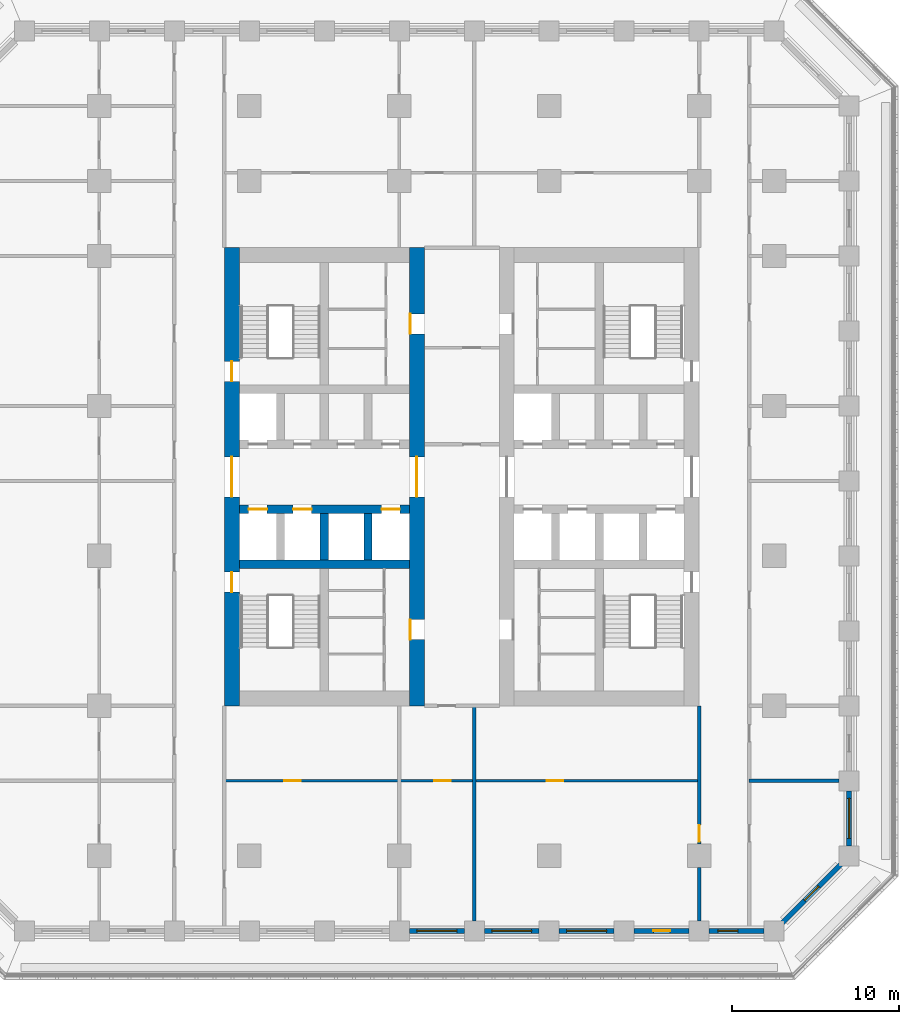
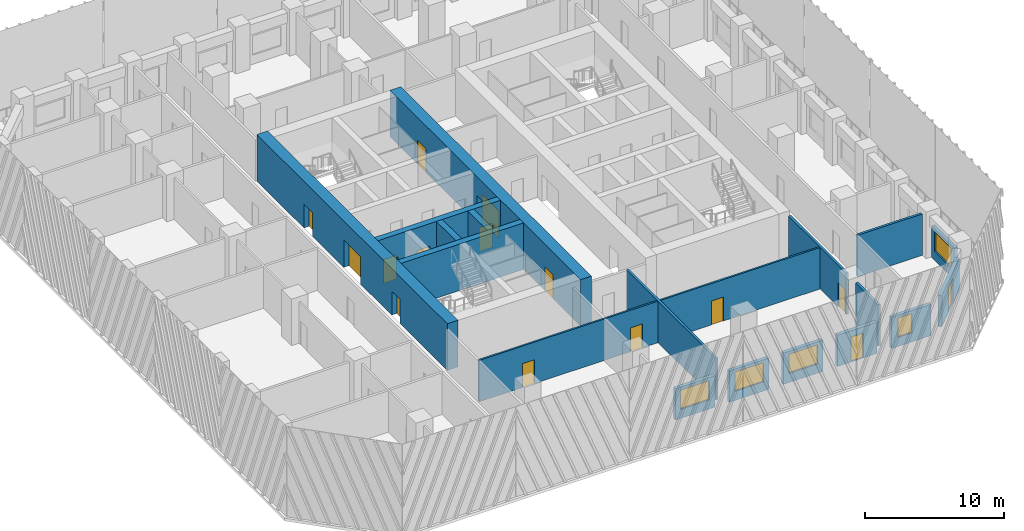
# One storey, part 4 of 19: 18 walls, 15 doors, 5 windows, 20 openings.
"""IFC4 building model written with IfcOpenShell, lengths in metres."""

from ifc_helpers import new_model, si_unit, direction, frame, frame_2d, origin, place, context, subcontext, project, spatial, rectangle, extrude, material, layer, layer_set, type_object, element, fill, save


model = new_model("IFC4")

# Units and contexts
model_context = context("Model", 3, precision=1e-05, world=origin(), true_north=direction((0.0, 1.0)))
body_context = subcontext(model_context, "Body", "Model", "MODEL_VIEW")
ifc_project = project(units=[si_unit("LENGTHUNIT", "METRE"), si_unit("AREAUNIT", "SQUARE_METRE"), si_unit("VOLUMEUNIT", "CUBIC_METRE"), si_unit("PLANEANGLEUNIT", "RADIAN"), si_unit("MASSUNIT", "GRAM", prefix="KILO")], contexts=[model_context])

# Site, building, storey
site_placement = place(None, origin())
site = spatial("IfcSite", under=ifc_project, at=site_placement, CompositionType="ELEMENT")
building_placement = place(site_placement, origin())
building = spatial("IfcBuilding", under=site, at=building_placement, Name="Corbel Stack Research Tower", CompositionType="ELEMENT")
storey_placement = place(building_placement, frame((0.0, 0.0, 133.10009765625)))
storey = spatial("IfcBuildingStorey", under=building, at=storey_placement, Name="L30", CompositionType="ELEMENT", Elevation=133.10009765625)

# Wall
ifc_material_1 = material(Name="Concrete C70/85", Category="concrete")
ifc_layer_1 = layer(ifc_material_1, 0.5)
ifc_layer_set_1 = layer_set([ifc_layer_1], Name="Concrete C70/85")
wall_type_1 = type_object("IfcWallType", Name="CW-500-70", PredefinedType="SHEAR", material=ifc_layer_set_1)
wall_1_placement = place(storey_placement, frame((-9.60009765625, -0.5, 0.0), z_axis=(0.0, 0.0, 1.0), x_axis=(1.0, 0.0, 0.0)))
element("IfcWall", 1, at=wall_1_placement, inside=storey, type_object=wall_type_1, Name="West core wall, south row back L30", PredefinedType="SHEAR", context=body_context, shape_type="SweptSolid", body=[
    extrude(rectangle(XDim=10.2001953125, YDim=0.5, at=frame_2d((5.10009765625, 0.0))), origin(), (0.0, 0.0, 1.0), 4.099853515625),
])

# Wall, openings, doors
wall_2_placement = place(storey_placement, frame((-9.60009765625, 2.800048828125, 0.0), z_axis=(0.0, 0.0, 1.0), x_axis=(1.0, 0.0, 0.0)))
wall_2 = element("IfcWall", 2, at=wall_2_placement, inside=storey, type_object=wall_type_1, Name="West core wall, lobby south L30", PredefinedType="SHEAR", context=body_context, shape_type="SweptSolid", body=[
    extrude(rectangle(XDim=10.2001953125, YDim=0.5, at=frame_2d((5.10009765625, 0.0))), origin(), (0.0, 0.0, 1.0), 4.099853515625),
])
opening_1_placement = place(wall_2_placement, frame((0.5625, 0.0, 0.0)))
opening_1 = element("IfcOpeningElement", 3, at=opening_1_placement, cuts=wall_2, Name="Opening LD-FS1", PredefinedType="OPENING", context=body_context, shape_type="SweptSolid", body=[
    extrude(rectangle(XDim=1.10009765625, YDim=2.10009765625, at=frame_2d((0.550048828125, 1.050048828125))), frame((0.0, 0.260009765625, 0.0), z_axis=(0.0, -1.0, 0.0), x_axis=(1.0, 0.0, 0.0)), (0.0, 0.0, 1.0), 0.52001953125),
])
opening_2_placement = place(wall_2_placement, frame((3.237548828125, 0.0, 0.0)))
opening_2 = element("IfcOpeningElement", 4, at=opening_2_placement, cuts=wall_2, Name="Opening LD-GL1", PredefinedType="OPENING", context=body_context, shape_type="SweptSolid", body=[
    extrude(rectangle(XDim=1.10009765625, YDim=2.10009765625, at=frame_2d((0.550048828125, 1.050048828125))), frame((0.0, 0.260009765625, 0.0), z_axis=(0.0, -1.0, 0.0), x_axis=(1.0, 0.0, 0.0)), (0.0, 0.0, 1.0), 0.52001953125),
])
opening_3_placement = place(wall_2_placement, frame((8.53759765625, 0.0, 0.0)))
opening_3 = element("IfcOpeningElement", 5, at=opening_3_placement, cuts=wall_2, Name="Opening LD-LR1", PredefinedType="OPENING", context=body_context, shape_type="SweptSolid", body=[
    extrude(rectangle(XDim=1.10009765625, YDim=2.10009765625, at=frame_2d((0.550048828125, 1.050048828125))), frame((0.0, 0.260009765625, 0.0), z_axis=(0.0, -1.0, 0.0), x_axis=(1.0, 0.0, 0.0)), (0.0, 0.0, 1.0), 0.52001953125),
])
ifc_material_2 = material(Name="Stainless steel landing door", Category="steel")
door_type_1 = type_object("IfcDoorType", Name="Lift landing door 1100 x 2100", OperationType="DOUBLE_DOOR_SLIDING", PredefinedType="DOOR", material=ifc_material_2)
door_1_placement = place(opening_1_placement, origin())
door_1 = element("IfcDoor", 6, at=door_1_placement, inside=storey, type_object=door_type_1, Name="Landing door FS1", OperationType="DOUBLE_DOOR_SLIDING", OverallHeight=2.10009765625, OverallWidth=1.10009765625, PredefinedType="DOOR", context=body_context, shape_type="SweptSolid", body=[
    extrude(rectangle(XDim=1.10009765625, YDim=2.10009765625, at=frame_2d((0.550048828125, 1.050048828125))), frame((0.0, 0.02490234375, 0.0), z_axis=(0.0, -1.0, 0.0), x_axis=(1.0, 0.0, 0.0)), (0.0, 0.0, 1.0), 0.050048828125),
])
fill(opening_1, door_1)
door_2_placement = place(opening_2_placement, origin())
door_2 = element("IfcDoor", 7, at=door_2_placement, inside=storey, type_object=door_type_1, Name="Landing door GL1", OperationType="DOUBLE_DOOR_SLIDING", OverallHeight=2.10009765625, OverallWidth=1.10009765625, PredefinedType="DOOR", context=body_context, shape_type="SweptSolid", body=[
    extrude(rectangle(XDim=1.10009765625, YDim=2.10009765625, at=frame_2d((0.550048828125, 1.050048828125))), frame((0.0, 0.02490234375, 0.0), z_axis=(0.0, -1.0, 0.0), x_axis=(1.0, 0.0, 0.0)), (0.0, 0.0, 1.0), 0.050048828125),
])
fill(opening_2, door_2)
door_3_placement = place(opening_3_placement, origin())
door_3 = element("IfcDoor", 8, at=door_3_placement, inside=storey, type_object=door_type_1, Name="Landing door LR1", OperationType="DOUBLE_DOOR_SLIDING", OverallHeight=2.10009765625, OverallWidth=1.10009765625, PredefinedType="DOOR", context=body_context, shape_type="SweptSolid", body=[
    extrude(rectangle(XDim=1.10009765625, YDim=2.10009765625, at=frame_2d((0.550048828125, 1.050048828125))), frame((0.0, 0.02490234375, 0.0), z_axis=(0.0, -1.0, 0.0), x_axis=(1.0, 0.0, 0.0)), (0.0, 0.0, 1.0), 0.050048828125),
])
fill(opening_3, door_3)

# Walls
for number, where, z_axis, x_axis, name in (
    (9, (-4.5, -0.25, 0.0), (0.0, 0.0, 1.0), (0.0, 1.0, 0.0), "West core wall, south shaft 2 L30"),
    (10, (-1.875, -0.25, 0.0), (0.0, 0.0, 1.0), (0.0, 1.0, 0.0), "West core wall, south shaft 3 L30"),
):
    element("IfcWall", number, at=place(storey_placement, frame(where, z_axis=z_axis, x_axis=x_axis)), inside=storey, type_object=wall_type_1, Name=name, PredefinedType="SHEAR", context=body_context, shape_type="SweptSolid", body=[
        extrude(rectangle(XDim=2.800048828125, YDim=0.5, at=frame_2d((1.39990234375, 0.0))), origin(), (0.0, 0.0, 1.0), 4.099853515625),
    ])

# Wall, openings, doors
ifc_material_3 = material(Name="Concrete C70/85", Category="concrete")
ifc_layer_2 = layer(ifc_material_3, 0.89990234375)
ifc_layer_set_2 = layer_set([ifc_layer_2], Name="Concrete C70/85")
wall_type_2 = type_object("IfcWallType", Name="CW-900-70", PredefinedType="SHEAR", material=ifc_layer_set_2)
wall_3_placement = place(storey_placement, frame((-10.050048828125, -9.0, 0.0), z_axis=(0.0, 0.0, 1.0), x_axis=(0.0, 1.0, 0.0)))
wall_3 = element("IfcWall", 11, at=wall_3_placement, inside=storey, type_object=wall_type_2, Name="West core wall, west face L30", PredefinedType="SHEAR", context=body_context, shape_type="SweptSolid", body=[
    extrude(rectangle(XDim=27.5, YDim=0.89990234375, at=frame_2d((13.75, 0.0))), origin(), (0.0, 0.0, 1.0), 4.099853515625),
])
opening_4_placement = place(wall_3_placement, frame((12.550048828125, 0.0, 0.0)))
opening_4 = element("IfcOpeningElement", 12, at=opening_4_placement, cuts=wall_3, Name="Opening CD-W-W", PredefinedType="OPENING", context=body_context, shape_type="SweptSolid", body=[
    extrude(rectangle(XDim=2.39990234375, YDim=2.39990234375, at=frame_2d((1.199951171875, 1.199951171875))), frame((0.0, 0.4599609375, 0.0), z_axis=(0.0, -1.0, 0.0), x_axis=(1.0, 0.0, 0.0)), (0.0, 0.0, 1.0), 0.919921875),
])
opening_5_placement = place(wall_3_placement, frame((6.824951171875, 0.0, 0.0)))
opening_5 = element("IfcOpeningElement", 13, at=opening_5_placement, cuts=wall_3, Name="Opening SD-ST-W1", PredefinedType="OPENING", context=body_context, shape_type="SweptSolid", body=[
    extrude(rectangle(XDim=1.199951171875, YDim=2.10009765625, at=frame_2d((0.60009765625, 1.050048828125))), frame((0.0, 0.4599609375, 0.0), z_axis=(0.0, -1.0, 0.0), x_axis=(1.0, 0.0, 0.0)), (0.0, 0.0, 1.0), 0.919921875),
])
opening_6_placement = place(wall_3_placement, frame((19.47509765625, 0.0, 0.0)))
opening_6 = element("IfcOpeningElement", 14, at=opening_6_placement, cuts=wall_3, Name="Opening SD-ST-W2", PredefinedType="OPENING", context=body_context, shape_type="SweptSolid", body=[
    extrude(rectangle(XDim=1.199951171875, YDim=2.10009765625, at=frame_2d((0.60009765625, 1.050048828125))), frame((0.0, 0.4599609375, 0.0), z_axis=(0.0, -1.0, 0.0), x_axis=(1.0, 0.0, 0.0)), (0.0, 0.0, 1.0), 0.919921875),
])
ifc_material_4 = material(Name="Painted steel fire door", Category="steel")
door_type_2 = type_object("IfcDoorType", Name="Lobby door pair 2400 x 2400 FD30S", OperationType="DOUBLE_DOOR_DOUBLE_SWING", PredefinedType="DOOR", material=ifc_material_4)
door_4_placement = place(opening_4_placement, origin())
door_4 = element("IfcDoor", 15, at=door_4_placement, inside=storey, type_object=door_type_2, Name="Lift lobby door W core W", OperationType="DOUBLE_DOOR_DOUBLE_SWING", OverallHeight=2.39990234375, OverallWidth=2.39990234375, PredefinedType="DOOR", context=body_context, shape_type="SweptSolid", body=[
    extrude(rectangle(XDim=2.39990234375, YDim=2.39990234375, at=frame_2d((1.199951171875, 1.199951171875))), frame((0.0, 0.02490234375, 0.0), z_axis=(0.0, -1.0, 0.0), x_axis=(1.0, 0.0, 0.0)), (0.0, 0.0, 1.0), 0.050048828125),
])
fill(opening_4, door_4)
ifc_material_5 = material(Name="Painted steel fire door", Category="steel")
door_type_3 = type_object("IfcDoorType", Name="Stair door 1200 x 2100 FD90 left hand", OperationType="SINGLE_SWING_LEFT", PredefinedType="DOOR", material=ifc_material_5)
door_5_placement = place(opening_5_placement, origin())
door_5 = element("IfcDoor", 16, at=door_5_placement, inside=storey, type_object=door_type_3, Name="Stair door ST-W1", OperationType="SINGLE_SWING_LEFT", OverallHeight=2.10009765625, OverallWidth=1.199951171875, PredefinedType="DOOR", context=body_context, shape_type="SweptSolid", body=[
    extrude(rectangle(XDim=1.199951171875, YDim=2.10009765625, at=frame_2d((0.60009765625, 1.050048828125))), frame((0.0, 0.02490234375, 0.0), z_axis=(0.0, -1.0, 0.0), x_axis=(1.0, 0.0, 0.0)), (0.0, 0.0, 1.0), 0.050048828125),
])
fill(opening_5, door_5)
door_6_placement = place(opening_6_placement, origin())
door_6 = element("IfcDoor", 17, at=door_6_placement, inside=storey, type_object=door_type_3, Name="Stair door ST-W2", OperationType="SINGLE_SWING_LEFT", OverallHeight=2.10009765625, OverallWidth=1.199951171875, PredefinedType="DOOR", context=body_context, shape_type="SweptSolid", body=[
    extrude(rectangle(XDim=1.199951171875, YDim=2.10009765625, at=frame_2d((0.60009765625, 1.050048828125))), frame((0.0, 0.02490234375, 0.0), z_axis=(0.0, -1.0, 0.0), x_axis=(1.0, 0.0, 0.0)), (0.0, 0.0, 1.0), 0.050048828125),
])
fill(opening_6, door_6)

wall_4_placement = place(storey_placement, frame((1.050048828125, -9.0, 0.0), z_axis=(0.0, 0.0, 1.0), x_axis=(0.0, 1.0, 0.0)))
wall_4 = element("IfcWall", 18, at=wall_4_placement, inside=storey, type_object=wall_type_2, Name="West core wall, east face L30", PredefinedType="SHEAR", context=body_context, shape_type="SweptSolid", body=[
    extrude(rectangle(XDim=27.5, YDim=0.89990234375, at=frame_2d((13.75, 0.0))), origin(), (0.0, 0.0, 1.0), 4.099853515625),
])
opening_7_placement = place(wall_4_placement, frame((12.550048828125, 0.0, 0.0)))
opening_7 = element("IfcOpeningElement", 19, at=opening_7_placement, cuts=wall_4, Name="Opening CD-W-E", PredefinedType="OPENING", context=body_context, shape_type="SweptSolid", body=[
    extrude(rectangle(XDim=2.39990234375, YDim=2.39990234375, at=frame_2d((1.199951171875, 1.199951171875))), frame((0.0, 0.4599609375, 0.0), z_axis=(0.0, -1.0, 0.0), x_axis=(1.0, 0.0, 0.0)), (0.0, 0.0, 1.0), 0.919921875),
])
opening_8_placement = place(wall_4_placement, frame((3.97509765625, 0.0, 0.0)))
opening_8 = element("IfcOpeningElement", 20, at=opening_8_placement, cuts=wall_4, Name="Opening CR-W42-W1-1200", PredefinedType="OPENING", context=body_context, shape_type="SweptSolid", body=[
    extrude(rectangle(XDim=1.199951171875, YDim=2.10009765625, at=frame_2d((0.60009765625, 1.050048828125))), frame((0.0, 0.4599609375, 0.0), z_axis=(0.0, -1.0, 0.0), x_axis=(1.0, 0.0, 0.0)), (0.0, 0.0, 1.0), 0.919921875),
])
opening_9_placement = place(wall_4_placement, frame((22.324951171875, 0.0, 0.0)))
opening_9 = element("IfcOpeningElement", 21, at=opening_9_placement, cuts=wall_4, Name="Opening CR-W42-R1-1200", PredefinedType="OPENING", context=body_context, shape_type="SweptSolid", body=[
    extrude(rectangle(XDim=1.199951171875, YDim=2.10009765625, at=frame_2d((0.60009765625, 1.050048828125))), frame((0.0, 0.4599609375, 0.0), z_axis=(0.0, -1.0, 0.0), x_axis=(1.0, 0.0, 0.0)), (0.0, 0.0, 1.0), 0.919921875),
])
door_7_placement = place(opening_7_placement, origin())
door_7 = element("IfcDoor", 22, at=door_7_placement, inside=storey, type_object=door_type_2, Name="Lift lobby door W core E", OperationType="DOUBLE_DOOR_DOUBLE_SWING", OverallHeight=2.39990234375, OverallWidth=2.39990234375, PredefinedType="DOOR", context=body_context, shape_type="SweptSolid", body=[
    extrude(rectangle(XDim=2.39990234375, YDim=2.39990234375, at=frame_2d((1.199951171875, 1.199951171875))), frame((0.0, 0.02490234375, 0.0), z_axis=(0.0, -1.0, 0.0), x_axis=(1.0, 0.0, 0.0)), (0.0, 0.0, 1.0), 0.050048828125),
])
fill(opening_7, door_7)
ifc_material_6 = material(Name="Painted steel door", Category="steel")
door_type_4 = type_object("IfcDoorType", Name="Service door 1200 x 2100 FD30 left hand", OperationType="SINGLE_SWING_LEFT", PredefinedType="DOOR", material=ifc_material_6)
door_8_placement = place(opening_9_placement, origin())
door_8 = element("IfcDoor", 23, at=door_8_placement, inside=storey, type_object=door_type_4, Name="Service passage door W core", OperationType="SINGLE_SWING_LEFT", OverallHeight=2.10009765625, OverallWidth=1.199951171875, PredefinedType="DOOR", context=body_context, shape_type="SweptSolid", body=[
    extrude(rectangle(XDim=1.199951171875, YDim=2.10009765625, at=frame_2d((0.60009765625, 1.050048828125))), frame((0.0, 0.4248046875, 0.0), z_axis=(0.0, -1.0, 0.0), x_axis=(1.0, 0.0, 0.0)), (0.0, 0.0, 1.0), 0.050048828125),
])
fill(opening_9, door_8)
ifc_material_7 = material(Name="Painted timber door", Category="wood")
door_type_5 = type_object("IfcDoorType", Name="WC door 1200 x 2100 left hand", OperationType="SINGLE_SWING_LEFT", PredefinedType="DOOR", material=ifc_material_7)
door_9_placement = place(opening_8_placement, origin())
door_9 = element("IfcDoor", 24, at=door_9_placement, inside=storey, type_object=door_type_5, Name="WC lobby door W core", OperationType="SINGLE_SWING_LEFT", OverallHeight=2.10009765625, OverallWidth=1.199951171875, PredefinedType="DOOR", context=body_context, shape_type="SweptSolid", body=[
    extrude(rectangle(XDim=1.199951171875, YDim=2.10009765625, at=frame_2d((0.60009765625, 1.050048828125))), frame((0.0, 0.4248046875, 0.0), z_axis=(0.0, -1.0, 0.0), x_axis=(1.0, 0.0, 0.0)), (0.0, 0.0, 1.0), 0.050048828125),
])
fill(opening_8, door_9)

# Walls
ifc_material_8 = material(Name="Fire-rated gypsum board partition on steel studs", Category="steel")
ifc_layer_3 = layer(ifc_material_8, 0.199951171875)
ifc_layer_set_3 = layer_set([ifc_layer_3], Name="Fire-rated gypsum board partition on steel studs")
wall_type_3 = type_object("IfcWallType", Name="Fire-rated partition 200 EI 60", PredefinedType="PARTITIONING", material=ifc_layer_set_3)
wall_5_placement = place(storey_placement, frame((4.5, -21.89990234375, 0.0), z_axis=(0.0, 0.0, 1.0), x_axis=(0.0, 1.0, 0.0)))
element("IfcWall", 25, at=wall_5_placement, inside=storey, type_object=wall_type_3, Name="Partition L30-017", PredefinedType="PARTITIONING", context=body_context, shape_type="SweptSolid", body=[
    extrude(rectangle(XDim=12.89990234375, YDim=0.199951171875, at=frame_2d((6.449951171875, 0.0))), origin(), (0.0, 0.0, 1.0), 3.64990234375),
])
wall_6_placement = place(storey_placement, frame((18.0, -21.89990234375, 0.0), z_axis=(0.0, 0.0, 1.0), x_axis=(0.0, 1.0, 0.0)))
element("IfcWall", 26, at=wall_6_placement, inside=storey, type_object=wall_type_3, Name="Partition L30-019", PredefinedType="PARTITIONING", context=body_context, shape_type="SweptSolid", body=[
    extrude(rectangle(XDim=3.199951171875, YDim=0.199951171875, at=frame_2d((1.60009765625, 0.0))), origin(), (0.0, 0.0, 1.0), 3.64990234375),
])

# Wall, opening, door
wall_7_placement = place(storey_placement, frame((18.0, -17.300048828125, 0.0), z_axis=(0.0, 0.0, 1.0), x_axis=(0.0, 1.0, 0.0)))
wall_7 = element("IfcWall", 27, at=wall_7_placement, inside=storey, type_object=wall_type_3, Name="Partition L30-020", PredefinedType="PARTITIONING", context=body_context, shape_type="SweptSolid", body=[
    extrude(rectangle(XDim=8.300048828125, YDim=0.199951171875, at=frame_2d((4.14990234375, 0.0))), origin(), (0.0, 0.0, 1.0), 3.64990234375),
])
opening_10_placement = place(wall_7_placement, frame((0.14990234375, 0.0, 0.0)))
opening_10 = element("IfcOpeningElement", 28, at=opening_10_placement, cuts=wall_7, Name="Opening B4V1-026", PredefinedType="OPENING", context=body_context, shape_type="SweptSolid", body=[
    extrude(rectangle(XDim=1.0, YDim=2.10009765625, at=frame_2d((0.5, 1.050048828125))), frame((0.0, 0.10986328125, 0.0), z_axis=(0.0, -1.0, 0.0), x_axis=(1.0, 0.0, 0.0)), (0.0, 0.0, 1.0), 0.219970703125),
])
ifc_material_9 = material(Name="Painted steel fire door", Category="steel")
door_type_6 = type_object("IfcDoorType", Name="Fire door FD30S 1000 x 2100", OperationType="NOTDEFINED", PredefinedType="DOOR", material=ifc_material_9)
door_10_placement = place(opening_10_placement, origin())
door_10 = element("IfcDoor", 29, at=door_10_placement, inside=storey, type_object=door_type_6, Name="Door B4V1-026", OperationType="SINGLE_SWING_LEFT", OverallHeight=2.10009765625, OverallWidth=1.0, PredefinedType="DOOR", context=body_context, shape_type="SweptSolid", body=[
    extrude(rectangle(XDim=1.0, YDim=2.10009765625, at=frame_2d((0.5, 1.050048828125))), frame((0.0, 0.02490234375, 0.0), z_axis=(0.0, -1.0, 0.0), x_axis=(1.0, 0.0, 0.0)), (0.0, 0.0, 1.0), 0.050048828125),
])
fill(opening_10, door_10)

# Wall
wall_8_placement = place(storey_placement, frame((21.0, -13.5, 0.0), z_axis=(0.0, 0.0, 1.0), x_axis=(1.0, 0.0, 0.0)))
element("IfcWall", 30, at=wall_8_placement, inside=storey, type_object=wall_type_3, Name="Partition L30-027", PredefinedType="PARTITIONING", context=body_context, shape_type="SweptSolid", body=[
    extrude(rectangle(XDim=5.39990234375, YDim=0.199951171875, at=frame_2d((2.699951171875, 0.0))), origin(), (0.0, 0.0, 1.0), 3.64990234375),
])

# Wall, openings, doors
ifc_material_10 = material(Name="Gypsum board partition on steel studs", Category="steel")
ifc_layer_4 = layer(ifc_material_10, 0.14990234375)
ifc_layer_set_4 = layer_set([ifc_layer_4], Name="Gypsum board partition on steel studs")
wall_type_4 = type_object("IfcWallType", Name="Partition 150", PredefinedType="PARTITIONING", material=ifc_layer_set_4)
wall_9_placement = place(storey_placement, frame((-10.5, -13.5, 0.0), z_axis=(0.0, 0.0, 1.0), x_axis=(1.0, 0.0, 0.0)))
wall_9 = element("IfcWall", 31, at=wall_9_placement, inside=storey, type_object=wall_type_4, Name="Partition L30-025", PredefinedType="PARTITIONING", context=body_context, shape_type="SweptSolid", body=[
    extrude(rectangle(XDim=28.5, YDim=0.14990234375, at=frame_2d((14.25, 0.0))), origin(), (0.0, 0.0, 1.0), 3.64990234375),
])
opening_11_placement = place(wall_9_placement, frame((3.60009765625, 0.0, 0.0)))
opening_11 = element("IfcOpeningElement", 32, at=opening_11_placement, cuts=wall_9, Name="Opening B4V1-011", PredefinedType="OPENING", context=body_context, shape_type="SweptSolid", body=[
    extrude(rectangle(XDim=1.0, YDim=2.10009765625, at=frame_2d((0.5, 1.050048828125))), frame((0.0, 0.0849609375, 0.0), z_axis=(0.0, -1.0, 0.0), x_axis=(1.0, 0.0, 0.0)), (0.0, 0.0, 1.0), 0.169921875),
])
opening_12_placement = place(wall_9_placement, frame((12.60009765625, 0.0, 0.0)))
opening_12 = element("IfcOpeningElement", 33, at=opening_12_placement, cuts=wall_9, Name="Opening B4V1-013", PredefinedType="OPENING", context=body_context, shape_type="SweptSolid", body=[
    extrude(rectangle(XDim=1.0, YDim=2.10009765625, at=frame_2d((0.5, 1.050048828125))), frame((0.0, 0.0849609375, 0.0), z_axis=(0.0, -1.0, 0.0), x_axis=(1.0, 0.0, 0.0)), (0.0, 0.0, 1.0), 0.169921875),
])
opening_13_placement = place(wall_9_placement, frame((19.35009765625, 0.0, 0.0)))
opening_13 = element("IfcOpeningElement", 34, at=opening_13_placement, cuts=wall_9, Name="Opening B4V1-015", PredefinedType="OPENING", context=body_context, shape_type="SweptSolid", body=[
    extrude(rectangle(XDim=1.0, YDim=2.10009765625, at=frame_2d((0.5, 1.050048828125))), frame((0.0, 0.0849609375, 0.0), z_axis=(0.0, -1.0, 0.0), x_axis=(1.0, 0.0, 0.0)), (0.0, 0.0, 1.0), 0.169921875),
])
ifc_material_11 = material(Name="Painted timber door", Category="wood")
door_type_7 = type_object("IfcDoorType", Name="Single door 1000 x 2100", OperationType="NOTDEFINED", PredefinedType="DOOR", material=ifc_material_11)
door_11_placement = place(opening_11_placement, origin())
door_11 = element("IfcDoor", 35, at=door_11_placement, inside=storey, type_object=door_type_7, Name="Door B4V1-011", OperationType="SINGLE_SWING_LEFT", OverallHeight=2.10009765625, OverallWidth=1.0, PredefinedType="DOOR", context=body_context, shape_type="SweptSolid", body=[
    extrude(rectangle(XDim=1.0, YDim=2.10009765625, at=frame_2d((0.5, 1.050048828125))), frame((0.0, 0.02490234375, 0.0), z_axis=(0.0, -1.0, 0.0), x_axis=(1.0, 0.0, 0.0)), (0.0, 0.0, 1.0), 0.050048828125),
])
fill(opening_11, door_11)
door_12_placement = place(opening_12_placement, origin())
door_12 = element("IfcDoor", 36, at=door_12_placement, inside=storey, type_object=door_type_7, Name="Door B4V1-013", OperationType="SINGLE_SWING_LEFT", OverallHeight=2.10009765625, OverallWidth=1.0, PredefinedType="DOOR", context=body_context, shape_type="SweptSolid", body=[
    extrude(rectangle(XDim=1.0, YDim=2.10009765625, at=frame_2d((0.5, 1.050048828125))), frame((0.0, 0.02490234375, 0.0), z_axis=(0.0, -1.0, 0.0), x_axis=(1.0, 0.0, 0.0)), (0.0, 0.0, 1.0), 0.050048828125),
])
fill(opening_12, door_12)
door_13_placement = place(opening_13_placement, origin())
door_13 = element("IfcDoor", 37, at=door_13_placement, inside=storey, type_object=door_type_7, Name="Door B4V1-015", OperationType="SINGLE_SWING_RIGHT", OverallHeight=2.10009765625, OverallWidth=1.0, PredefinedType="DOOR", context=body_context, shape_type="SweptSolid", body=[
    extrude(rectangle(XDim=1.0, YDim=2.10009765625, at=frame_2d((0.5, 1.050048828125))), frame((0.0, 0.02490234375, 0.0), z_axis=(0.0, -1.0, 0.0), x_axis=(1.0, 0.0, 0.0)), (0.0, 0.0, 1.0), 0.050048828125),
])
fill(opening_13, door_13)

# Wall, opening, window
ifc_material_12 = material(Name="Concrete C45/55", Category="concrete")
ifc_layer_5 = layer(ifc_material_12, 0.300048828125)
ifc_layer_set_5 = layer_set([ifc_layer_5], Name="Concrete C45/55")
wall_type_5 = type_object("IfcWallType", Name="Terracotta-faced concrete wall 300", PredefinedType="SOLIDWALL", material=ifc_layer_set_5)
wall_10_placement = place(storey_placement, frame((3.89990234375, -22.5, 0.0), z_axis=(0.0, 0.0, 1.0), x_axis=(-1.0, 0.0, 0.0)))
wall_10 = element("IfcWall", 38, at=wall_10_placement, inside=storey, type_object=wall_type_5, Name="Facade wall L30 S06", PredefinedType="SOLIDWALL", context=body_context, shape_type="SweptSolid", body=[
    extrude(rectangle(XDim=3.2998046875, YDim=0.300048828125, at=frame_2d((1.64990234375, 0.0))), origin(), (0.0, 0.0, 1.0), 2.75),
])
opening_14_placement = place(wall_10_placement, frame((0.449951171875, 0.0, 0.800048828125)))
opening_14 = element("IfcOpeningElement", 39, at=opening_14_placement, cuts=wall_10, Name="Opening W1", PredefinedType="OPENING", context=body_context, shape_type="SweptSolid", body=[
    extrude(rectangle(XDim=2.39990234375, YDim=1.699951171875, at=frame_2d((1.199951171875, 0.85009765625))), frame((0.0, 0.159912109375, 0.0), z_axis=(0.0, -1.0, 0.0), x_axis=(1.0, 0.0, 0.0)), (0.0, 0.0, 1.0), 0.320068359375),
])
ifc_material_13 = material(Name="Aluminium frame, clear double glazing", Category="aluminium")
window_type_1 = type_object("IfcWindowType", Name="Window W1 2400 x 1700", PartitioningType="SINGLE_PANEL", PredefinedType="WINDOW", material=ifc_material_13)
window_1_placement = place(opening_14_placement, origin())
window_1 = element("IfcWindow", 40, at=window_1_placement, inside=storey, type_object=window_type_1, Name="Window W1 L30 S06", OverallHeight=1.699951171875, OverallWidth=2.39990234375, PartitioningType="SINGLE_PANEL", PredefinedType="WINDOW", context=body_context, shape_type="SweptSolid", body=[
    extrude(rectangle(XDim=2.39990234375, YDim=1.699951171875, at=frame_2d((1.199951171875, 0.85009765625))), frame((0.0, 0.030029296875, 0.0), z_axis=(0.0, -1.0, 0.0), x_axis=(1.0, 0.0, 0.0)), (0.0, 0.0, 1.0), 0.06005859375),
])
fill(opening_14, window_1)

wall_11_placement = place(storey_placement, frame((8.39990234375, -22.5, 0.0), z_axis=(0.0, 0.0, 1.0), x_axis=(-1.0, 0.0, 0.0)))
wall_11 = element("IfcWall", 41, at=wall_11_placement, inside=storey, type_object=wall_type_5, Name="Facade wall L30 S07", PredefinedType="SOLIDWALL", context=body_context, shape_type="SweptSolid", body=[
    extrude(rectangle(XDim=3.2998046875, YDim=0.300048828125, at=frame_2d((1.64990234375, 0.0))), origin(), (0.0, 0.0, 1.0), 2.75),
])
opening_15_placement = place(wall_11_placement, frame((0.449951171875, 0.0, 0.800048828125)))
opening_15 = element("IfcOpeningElement", 42, at=opening_15_placement, cuts=wall_11, Name="Opening W1", PredefinedType="OPENING", context=body_context, shape_type="SweptSolid", body=[
    extrude(rectangle(XDim=2.39990234375, YDim=1.699951171875, at=frame_2d((1.199951171875, 0.85009765625))), frame((0.0, 0.159912109375, 0.0), z_axis=(0.0, -1.0, 0.0), x_axis=(1.0, 0.0, 0.0)), (0.0, 0.0, 1.0), 0.320068359375),
])
window_2_placement = place(opening_15_placement, origin())
window_2 = element("IfcWindow", 43, at=window_2_placement, inside=storey, type_object=window_type_1, Name="Window W1 L30 S07", OverallHeight=1.699951171875, OverallWidth=2.39990234375, PartitioningType="SINGLE_PANEL", PredefinedType="WINDOW", context=body_context, shape_type="SweptSolid", body=[
    extrude(rectangle(XDim=2.39990234375, YDim=1.699951171875, at=frame_2d((1.199951171875, 0.85009765625))), frame((0.0, 0.030029296875, 0.0), z_axis=(0.0, -1.0, 0.0), x_axis=(1.0, 0.0, 0.0)), (0.0, 0.0, 1.0), 0.06005859375),
])
fill(opening_15, window_2)

wall_12_placement = place(storey_placement, frame((12.89990234375, -22.5, 0.0), z_axis=(0.0, 0.0, 1.0), x_axis=(-1.0, 0.0, 0.0)))
wall_12 = element("IfcWall", 44, at=wall_12_placement, inside=storey, type_object=wall_type_5, Name="Facade wall L30 S08", PredefinedType="SOLIDWALL", context=body_context, shape_type="SweptSolid", body=[
    extrude(rectangle(XDim=3.2998046875, YDim=0.300048828125, at=frame_2d((1.64990234375, 0.0))), origin(), (0.0, 0.0, 1.0), 2.75),
])
opening_16_placement = place(wall_12_placement, frame((0.449951171875, 0.0, 0.800048828125)))
opening_16 = element("IfcOpeningElement", 45, at=opening_16_placement, cuts=wall_12, Name="Opening W1", PredefinedType="OPENING", context=body_context, shape_type="SweptSolid", body=[
    extrude(rectangle(XDim=2.39990234375, YDim=1.699951171875, at=frame_2d((1.199951171875, 0.85009765625))), frame((0.0, 0.159912109375, 0.0), z_axis=(0.0, -1.0, 0.0), x_axis=(1.0, 0.0, 0.0)), (0.0, 0.0, 1.0), 0.320068359375),
])
window_3_placement = place(opening_16_placement, origin())
window_3 = element("IfcWindow", 46, at=window_3_placement, inside=storey, type_object=window_type_1, Name="Window W1 L30 S08", OverallHeight=1.699951171875, OverallWidth=2.39990234375, PartitioningType="SINGLE_PANEL", PredefinedType="WINDOW", context=body_context, shape_type="SweptSolid", body=[
    extrude(rectangle(XDim=2.39990234375, YDim=1.699951171875, at=frame_2d((1.199951171875, 0.85009765625))), frame((0.0, 0.030029296875, 0.0), z_axis=(0.0, -1.0, 0.0), x_axis=(1.0, 0.0, 0.0)), (0.0, 0.0, 1.0), 0.06005859375),
])
fill(opening_16, window_3)

# Wall, opening, door
wall_13_placement = place(storey_placement, frame((17.39990234375, -22.5, 0.0), z_axis=(0.0, 0.0, 1.0), x_axis=(-1.0, 0.0, 0.0)))
wall_13 = element("IfcWall", 47, at=wall_13_placement, inside=storey, type_object=wall_type_5, Name="Facade wall L30 S09", PredefinedType="SOLIDWALL", context=body_context, shape_type="SweptSolid", body=[
    extrude(rectangle(XDim=3.2998046875, YDim=0.300048828125, at=frame_2d((1.64990234375, 0.0))), origin(), (0.0, 0.0, 1.0), 2.75),
])
opening_17_placement = place(wall_13_placement, frame((1.14990234375, 0.0, 0.0)))
opening_17 = element("IfcOpeningElement", 48, at=opening_17_placement, cuts=wall_13, Name="Opening L30-B02", PredefinedType="OPENING", context=body_context, shape_type="SweptSolid", body=[
    extrude(rectangle(XDim=1.0, YDim=2.199951171875, at=frame_2d((0.5, 1.10009765625))), frame((0.0, 0.159912109375, 0.0), z_axis=(0.0, -1.0, 0.0), x_axis=(1.0, 0.0, 0.0)), (0.0, 0.0, 1.0), 0.320068359375),
])
ifc_material_14 = material(Name="Aluminium frame, clear double glazing", Category="aluminium")
door_type_8 = type_object("IfcDoorType", Name="Balcony door BD1 1000 x 2200", OperationType="NOTDEFINED", PredefinedType="DOOR", material=ifc_material_14)
door_14_placement = place(opening_17_placement, origin())
door_14 = element("IfcDoor", 49, at=door_14_placement, inside=storey, type_object=door_type_8, Name="Balcony door L30-B02", OperationType="SINGLE_SWING_LEFT", OverallHeight=2.199951171875, OverallWidth=1.0, PredefinedType="DOOR", context=body_context, shape_type="SweptSolid", body=[
    extrude(rectangle(XDim=1.0, YDim=2.199951171875, at=frame_2d((0.5, 1.10009765625))), frame((0.0, 0.02490234375, 0.0), z_axis=(0.0, -1.0, 0.0), x_axis=(1.0, 0.0, 0.0)), (0.0, 0.0, 1.0), 0.050048828125),
])
fill(opening_17, door_14)

# Wall, opening, window
wall_14_placement = place(storey_placement, frame((21.89990234375, -22.5, 0.0), z_axis=(0.0, 0.0, 1.0), x_axis=(-1.0, 0.0, 0.0)))
wall_14 = element("IfcWall", 50, at=wall_14_placement, inside=storey, type_object=wall_type_5, Name="Facade wall L30 S10", PredefinedType="SOLIDWALL", context=body_context, shape_type="SweptSolid", body=[
    extrude(rectangle(XDim=3.2998046875, YDim=0.300048828125, at=frame_2d((1.64990234375, 0.0))), origin(), (0.0, 0.0, 1.0), 2.75),
])
opening_18_placement = place(wall_14_placement, frame((1.574951171875, 0.0, 0.800048828125)))
opening_18 = element("IfcOpeningElement", 51, at=opening_18_placement, cuts=wall_14, Name="Opening W2", PredefinedType="OPENING", context=body_context, shape_type="SweptSolid", body=[
    extrude(rectangle(XDim=1.199951171875, YDim=1.699951171875, at=frame_2d((0.60009765625, 0.85009765625))), frame((0.0, 0.159912109375, 0.0), z_axis=(0.0, -1.0, 0.0), x_axis=(1.0, 0.0, 0.0)), (0.0, 0.0, 1.0), 0.320068359375),
])
ifc_material_15 = material(Name="Aluminium frame, clear double glazing", Category="aluminium")
window_type_2 = type_object("IfcWindowType", Name="Window W2 1200 x 1700", PartitioningType="SINGLE_PANEL", PredefinedType="WINDOW", material=ifc_material_15)
window_4_placement = place(opening_18_placement, origin())
window_4 = element("IfcWindow", 52, at=window_4_placement, inside=storey, type_object=window_type_2, Name="Window W2 L30 S10", OverallHeight=1.699951171875, OverallWidth=1.199951171875, PartitioningType="SINGLE_PANEL", PredefinedType="WINDOW", context=body_context, shape_type="SweptSolid", body=[
    extrude(rectangle(XDim=1.199951171875, YDim=1.699951171875, at=frame_2d((0.60009765625, 0.85009765625))), frame((0.0, 0.030029296875, 0.0), z_axis=(0.0, -1.0, 0.0), x_axis=(1.0, 0.0, 0.0)), (0.0, 0.0, 1.0), 0.06005859375),
])
fill(opening_18, window_4)

# Wall, opening, door
wall_15_placement = place(storey_placement, frame((26.506103515625, -18.493896484375, 0.0), z_axis=(0.0, 0.0, 1.0), x_axis=(-0.707106781187, -0.707106781187, 0.0)))
wall_15 = element("IfcWall", 53, at=wall_15_placement, inside=storey, type_object=wall_type_5, Name="Facade wall L30 SE01", PredefinedType="SOLIDWALL", context=body_context, shape_type="SweptSolid", body=[
    extrude(rectangle(XDim=4.967041015625, YDim=0.300048828125, at=frame_2d((2.4833984375, 0.0))), origin(), (0.0, 0.0, 1.0), 2.75),
])
opening_19_placement = place(wall_15_placement, frame((1.883544921875, 0.0, 0.0)))
opening_19 = element("IfcOpeningElement", 54, at=opening_19_placement, cuts=wall_15, Name="Opening L30-B03", PredefinedType="OPENING", context=body_context, shape_type="SweptSolid", body=[
    extrude(rectangle(XDim=1.199951171875, YDim=2.199951171875, at=frame_2d((0.60009765625, 1.10009765625))), frame((0.0, 0.159912109375, 0.0), z_axis=(0.0, -1.0, 0.0), x_axis=(1.0, 0.0, 0.0)), (0.0, 0.0, 1.0), 0.320068359375),
])
ifc_material_16 = material(Name="Aluminium frame, clear double glazing", Category="aluminium")
door_type_9 = type_object("IfcDoorType", Name="Balcony door BD2 1200 x 2200", OperationType="NOTDEFINED", PredefinedType="DOOR", material=ifc_material_16)
door_15_placement = place(opening_19_placement, origin())
door_15 = element("IfcDoor", 55, at=door_15_placement, inside=storey, type_object=door_type_9, Name="Balcony door L30-B03", OperationType="SINGLE_SWING_LEFT", OverallHeight=2.199951171875, OverallWidth=1.199951171875, PredefinedType="DOOR", context=body_context, shape_type="SweptSolid", body=[
    extrude(rectangle(XDim=1.199951171875, YDim=2.199951171875, at=frame_2d((0.60009765625, 1.10009765625))), frame((0.0, 0.02490234375, 0.0), z_axis=(0.0, -1.0, 0.0), x_axis=(1.0, 0.0, 0.0)), (0.0, 0.0, 1.0), 0.050048828125),
])
fill(opening_19, door_15)

# Wall, opening, window
wall_16_placement = place(storey_placement, frame((27.0, -14.10009765625, 0.0), z_axis=(0.0, 0.0, 1.0), x_axis=(0.0, -1.0, 0.0)))
wall_16 = element("IfcWall", 56, at=wall_16_placement, inside=storey, type_object=wall_type_5, Name="Facade wall L30 E01", PredefinedType="SOLIDWALL", context=body_context, shape_type="SweptSolid", body=[
    extrude(rectangle(XDim=3.2998046875, YDim=0.300048828125, at=frame_2d((1.64990234375, 0.0))), origin(), (0.0, 0.0, 1.0), 2.75),
])
opening_20_placement = place(wall_16_placement, frame((0.449951171875, 0.0, 0.800048828125)))
opening_20 = element("IfcOpeningElement", 57, at=opening_20_placement, cuts=wall_16, Name="Opening W1", PredefinedType="OPENING", context=body_context, shape_type="SweptSolid", body=[
    extrude(rectangle(XDim=2.39990234375, YDim=1.699951171875, at=frame_2d((1.199951171875, 0.85009765625))), frame((0.0, 0.159912109375, 0.0), z_axis=(0.0, -1.0, 0.0), x_axis=(1.0, 0.0, 0.0)), (0.0, 0.0, 1.0), 0.320068359375),
])
window_5_placement = place(opening_20_placement, origin())
window_5 = element("IfcWindow", 58, at=window_5_placement, inside=storey, type_object=window_type_1, Name="Window W1 L30 E01", OverallHeight=1.699951171875, OverallWidth=2.39990234375, PartitioningType="SINGLE_PANEL", PredefinedType="WINDOW", context=body_context, shape_type="SweptSolid", body=[
    extrude(rectangle(XDim=2.39990234375, YDim=1.699951171875, at=frame_2d((1.199951171875, 0.85009765625))), frame((0.0, 0.030029296875, 0.0), z_axis=(0.0, -1.0, 0.0), x_axis=(1.0, 0.0, 0.0)), (0.0, 0.0, 1.0), 0.06005859375),
])
fill(opening_20, window_5)

save(model, "model.ifc")
